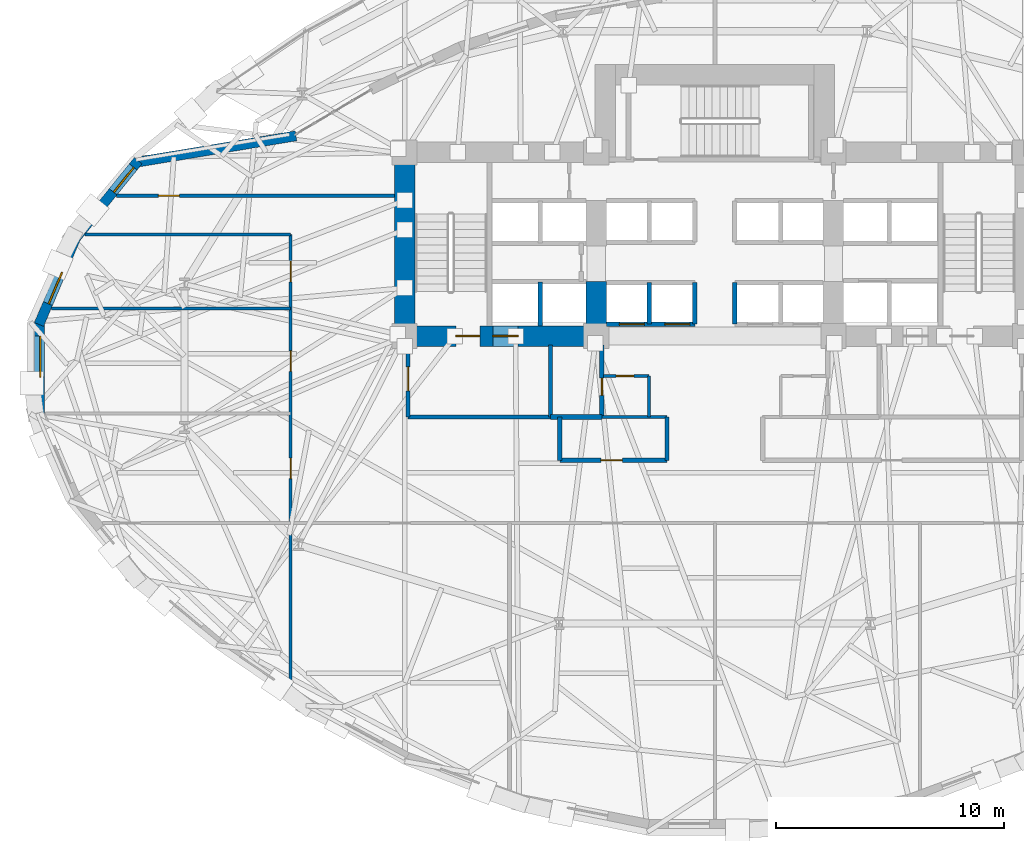
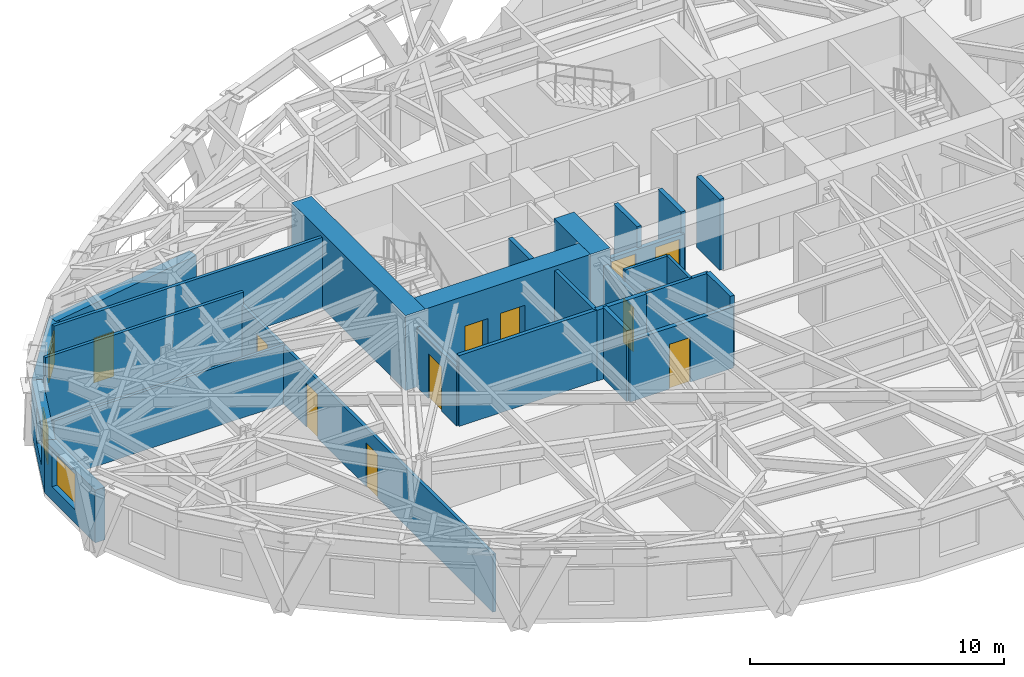
# One storey, part 10 of 17: 27 walls, 12 doors, 3 windows, 15 openings.
"""IFC4 building model written with IfcOpenShell, lengths in metres."""

from ifc_helpers import new_model, si_unit, direction, frame, frame_2d, origin, place, context, subcontext, project, spatial, rectangle, extrude, material, layer, layer_set, type_object, element, fill, save


model = new_model("IFC4")

# Units and contexts
model_context = context("Model", 3, precision=1e-05, world=origin(), true_north=direction((0.0, 1.0)))
body_context = subcontext(model_context, "Body", "Model", "MODEL_VIEW")
ifc_project = project(units=[si_unit("LENGTHUNIT", "METRE"), si_unit("AREAUNIT", "SQUARE_METRE"), si_unit("VOLUMEUNIT", "CUBIC_METRE"), si_unit("PLANEANGLEUNIT", "RADIAN"), si_unit("MASSUNIT", "GRAM", prefix="KILO")], contexts=[model_context])

# Site, building, storey
site_placement = place(None, origin())
site = spatial("IfcSite", under=ifc_project, at=site_placement, CompositionType="ELEMENT")
building_placement = place(site_placement, origin())
building = spatial("IfcBuilding", under=site, at=building_placement, Name="Keldmark Tower", CompositionType="ELEMENT")
storey_placement = place(building_placement, frame((0.0, 0.0, 70.199951171875)))
storey = spatial("IfcBuildingStorey", under=building, at=storey_placement, Name="L18", CompositionType="ELEMENT", Elevation=70.199951171875)

# Wall, openings, doors
ifc_material_1 = material(Name="Acoustic Double-Layer Gypsum Corridor Partition", Category="gypsum")
ifc_layer_1 = layer(ifc_material_1, 0.139892578125)
ifc_layer_set_1 = layer_set([ifc_layer_1], Name="Acoustic Double-Layer Gypsum Corridor Partition")
wall_type_1 = type_object("IfcWallType", Name="Acoustic Corridor Partition 140 mm", PredefinedType="PARTITIONING", material=ifc_layer_set_1)
wall_1_placement = place(storey_placement, frame((-18.60009765625, -13.924072265625, 0.0), z_axis=(0.0, 0.0, 1.0), x_axis=(0.0, 1.0, 0.0)))
wall_1 = element("IfcWall", 1, at=wall_1_placement, inside=storey, type_object=wall_type_1, Name="L18 Acoustic Corridor Partition 140 mm COR-W", PredefinedType="PARTITIONING", context=body_context, shape_type="SweptSolid", body=[
    extrude(rectangle(XDim=19.774169921875, YDim=0.139892578125, at=frame_2d((9.88720703125, 0.0))), origin(), (0.0, 0.0, 1.0), 2.779052734375),
])
opening_1_placement = place(wall_1_placement, frame((9.074462890625, 0.0, 0.0)))
opening_1 = element("IfcOpeningElement", 2, at=opening_1_placement, cuts=wall_1, Name="Opening D-IN090", PredefinedType="OPENING", context=body_context, shape_type="SweptSolid", body=[
    extrude(rectangle(XDim=0.89990234375, YDim=2.10009765625, at=frame_2d((0.449951171875, 1.050048828125))), frame((0.0, 0.079833984375, 0.0), z_axis=(0.0, -1.0, 0.0), x_axis=(1.0, 0.0, 0.0)), (0.0, 0.0, 1.0), 0.159912109375),
])
opening_2_placement = place(wall_1_placement, frame((13.7744140625, 0.0, 0.0)))
opening_2 = element("IfcOpeningElement", 3, at=opening_2_placement, cuts=wall_1, Name="Opening D-IN090", PredefinedType="OPENING", context=body_context, shape_type="SweptSolid", body=[
    extrude(rectangle(XDim=0.89990234375, YDim=2.10009765625, at=frame_2d((0.449951171875, 1.050048828125))), frame((0.0, 0.079833984375, 0.0), z_axis=(0.0, -1.0, 0.0), x_axis=(1.0, 0.0, 0.0)), (0.0, 0.0, 1.0), 0.159912109375),
])
opening_3_placement = place(wall_1_placement, frame((17.699462890625, 0.0, 0.0)))
opening_3 = element("IfcOpeningElement", 4, at=opening_3_placement, cuts=wall_1, Name="Opening D-IN090", PredefinedType="OPENING", context=body_context, shape_type="SweptSolid", body=[
    extrude(rectangle(XDim=0.89990234375, YDim=2.10009765625, at=frame_2d((0.449951171875, 1.050048828125))), frame((0.0, 0.079833984375, 0.0), z_axis=(0.0, -1.0, 0.0), x_axis=(1.0, 0.0, 0.0)), (0.0, 0.0, 1.0), 0.159912109375),
])
ifc_material_2 = material(Name="Stained American White Oak Veneer", Category="wood")
door_type_1 = type_object("IfcDoorType", Name="Interior Door 900x2100", OperationType="NOTDEFINED", PredefinedType="DOOR", material=ifc_material_2)
door_1_placement = place(opening_1_placement, origin())
door_1 = element("IfcDoor", 5, at=door_1_placement, inside=storey, type_object=door_type_1, Name="L18 Interior Door 900x2100 D-WR-1-L18", OperationType="SINGLE_SWING_LEFT", OverallHeight=2.10009765625, OverallWidth=0.89990234375, PredefinedType="DOOR", context=body_context, shape_type="SweptSolid", body=[
    extrude(rectangle(XDim=0.89990234375, YDim=2.10009765625, at=frame_2d((0.449951171875, 1.050048828125))), frame((0.0, 0.02490234375, 0.0), z_axis=(0.0, -1.0, 0.0), x_axis=(1.0, 0.0, 0.0)), (0.0, 0.0, 1.0), 0.050048828125),
])
fill(opening_1, door_1)
door_2_placement = place(opening_2_placement, origin())
door_2 = element("IfcDoor", 6, at=door_2_placement, inside=storey, type_object=door_type_1, Name="L18 Interior Door 900x2100 D-WR-2-L18", OperationType="SINGLE_SWING_RIGHT", OverallHeight=2.10009765625, OverallWidth=0.89990234375, PredefinedType="DOOR", context=body_context, shape_type="SweptSolid", body=[
    extrude(rectangle(XDim=0.89990234375, YDim=2.10009765625, at=frame_2d((0.449951171875, 1.050048828125))), frame((0.0, 0.02490234375, 0.0), z_axis=(0.0, -1.0, 0.0), x_axis=(1.0, 0.0, 0.0)), (0.0, 0.0, 1.0), 0.050048828125),
])
fill(opening_2, door_2)
door_3_placement = place(opening_3_placement, origin())
door_3 = element("IfcDoor", 7, at=door_3_placement, inside=storey, type_object=door_type_1, Name="L18 Interior Door 900x2100 D-WR-3-L18", OperationType="SINGLE_SWING_LEFT", OverallHeight=2.10009765625, OverallWidth=0.89990234375, PredefinedType="DOOR", context=body_context, shape_type="SweptSolid", body=[
    extrude(rectangle(XDim=0.89990234375, YDim=2.10009765625, at=frame_2d((0.449951171875, 1.050048828125))), frame((0.0, 0.02490234375, 0.0), z_axis=(0.0, -1.0, 0.0), x_axis=(1.0, 0.0, 0.0)), (0.0, 0.0, 1.0), 0.050048828125),
])
fill(opening_3, door_3)

# Wall, opening, door
wall_2_placement = place(storey_placement, frame((-26.233642578125, 7.550048828125, 0.0), z_axis=(0.0, 0.0, 1.0), x_axis=(1.0, 0.0, 0.0)))
wall_2 = element("IfcWall", 8, at=wall_2_placement, inside=storey, type_object=wall_type_1, Name="L18 Acoustic Corridor Partition 140 mm COR-WN-CAP", PredefinedType="PARTITIONING", context=body_context, shape_type="SweptSolid", body=[
    extrude(rectangle(XDim=12.18359375, YDim=0.139892578125, at=frame_2d((6.091796875, 0.0))), origin(), (0.0, 0.0, 1.0), 3.400146484375),
])
opening_4_placement = place(wall_2_placement, frame((1.839599609375, 0.0, 0.0)))
opening_4 = element("IfcOpeningElement", 9, at=opening_4_placement, cuts=wall_2, Name="Opening D-EX092", PredefinedType="OPENING", context=body_context, shape_type="SweptSolid", body=[
    extrude(rectangle(XDim=0.919921875, YDim=2.14990234375, at=frame_2d((0.4599609375, 1.074951171875))), frame((0.0, 0.079833984375, 0.0), z_axis=(0.0, -1.0, 0.0), x_axis=(1.0, 0.0, 0.0)), (0.0, 0.0, 1.0), 0.159912109375),
])
ifc_material_3 = material(Name="Flush American Ash Executive Office Door", Category="wood")
door_type_2 = type_object("IfcDoorType", Name="Executive Office Door 920x2150", OperationType="NOTDEFINED", PredefinedType="DOOR", material=ifc_material_3)
door_4_placement = place(opening_4_placement, origin())
door_4 = element("IfcDoor", 10, at=door_4_placement, inside=storey, type_object=door_type_2, Name="L18 Executive Office Door 920x2150 D-NRNW-L18", OperationType="SINGLE_SWING_LEFT", OverallHeight=2.14990234375, OverallWidth=0.919921875, PredefinedType="DOOR", context=body_context, shape_type="SweptSolid", body=[
    extrude(rectangle(XDim=0.919921875, YDim=2.14990234375, at=frame_2d((0.4599609375, 1.074951171875))), frame((0.0, 0.02490234375, 0.0), z_axis=(0.0, -1.0, 0.0), x_axis=(1.0, 0.0, 0.0)), (0.0, 0.0, 1.0), 0.050048828125),
])
fill(opening_4, door_4)

# Wall
wall_3_placement = place(storey_placement, frame((-27.607421875, 5.85009765625, 0.0), z_axis=(0.0, 0.0, 1.0), x_axis=(1.0, 0.0, 0.0)))
element("IfcWall", 11, at=wall_3_placement, inside=storey, type_object=wall_type_1, Name="L18 Acoustic Corridor Partition 140 mm COR-WA-S", PredefinedType="PARTITIONING", context=body_context, shape_type="SweptSolid", body=[
    extrude(rectangle(XDim=9.00732421875, YDim=0.139892578125, at=frame_2d((4.503662109375, 0.0))), origin(), (0.0, 0.0, 1.0), 3.400146484375),
])

# Wall, opening, door
ifc_material_4 = material(Name="Heavy Acoustic Plumbing Chase Gypsum Assembly", Category="gypsum")
ifc_layer_2 = layer(ifc_material_4, 0.18994140625)
ifc_layer_set_2 = layer_set([ifc_layer_2], Name="Heavy Acoustic Plumbing Chase Gypsum Assembly")
wall_type_2 = type_object("IfcWallType", Name="Heavy Wet Wall 190 mm", PredefinedType="PLUMBINGWALL", material=ifc_layer_set_2)
wall_4_placement = place(storey_placement, frame((-6.800048828125, -4.050048828125, 0.0), z_axis=(0.0, 0.0, 1.0), x_axis=(1.0, 0.0, 0.0)))
wall_4 = element("IfcWall", 12, at=wall_4_placement, inside=storey, type_object=wall_type_2, Name="L18 Heavy Wet Wall 190 mm SPK-W-S", PredefinedType="PLUMBINGWALL", context=body_context, shape_type="SweptSolid", body=[
    extrude(rectangle(XDim=4.699951171875, YDim=0.18994140625, at=frame_2d((2.35009765625, 0.0))), origin(), (0.0, 0.0, 1.0), 2.93310546875),
])
opening_5_placement = place(wall_4_placement, frame((1.800048828125, 0.0, 0.0)))
opening_5 = element("IfcOpeningElement", 13, at=opening_5_placement, cuts=wall_4, Name="Opening D-AWC95", PredefinedType="OPENING", context=body_context, shape_type="SweptSolid", body=[
    extrude(rectangle(XDim=0.949951171875, YDim=2.14990234375, at=frame_2d((0.47509765625, 1.074951171875))), frame((0.0, 0.10498046875, 0.0), z_axis=(0.0, -1.0, 0.0), x_axis=(1.0, 0.0, 0.0)), (0.0, 0.0, 1.0), 0.2099609375),
])
ifc_material_5 = material(Name="Painted Solid-Core Architectural Wood", Category="wood")
door_type_3 = type_object("IfcDoorType", Name="Accessible WC Door 950x2150", OperationType="NOTDEFINED", PredefinedType="DOOR", material=ifc_material_5)
door_5_placement = place(opening_5_placement, origin())
door_5 = element("IfcDoor", 14, at=door_5_placement, inside=storey, type_object=door_type_3, Name="L18 Accessible WC Door 950x2150 D-SPKW1-L18", OperationType="SINGLE_SWING_LEFT", OverallHeight=2.14990234375, OverallWidth=0.949951171875, PredefinedType="DOOR", context=body_context, shape_type="SweptSolid", body=[
    extrude(rectangle(XDim=0.949951171875, YDim=2.14990234375, at=frame_2d((0.47509765625, 1.074951171875))), frame((0.0, 0.02490234375, 0.0), z_axis=(0.0, -1.0, 0.0), x_axis=(1.0, 0.0, 0.0)), (0.0, 0.0, 1.0), 0.050048828125),
])
fill(opening_5, door_5)

# Walls
for number, where, z_axis, x_axis, name in (
    (15, (-6.800048828125, -4.050048828125, 0.0), (0.0, 0.0, 1.0), (0.0, 1.0, 0.0), "L18 Heavy Wet Wall 190 mm SPK-W-W"),
    (16, (-2.10009765625, -4.050048828125, 0.0), (0.0, 0.0, 1.0), (0.0, 1.0, 0.0), "L18 Heavy Wet Wall 190 mm SPK-W-E"),
):
    element("IfcWall", number, at=place(storey_placement, frame(where, z_axis=z_axis, x_axis=x_axis)), inside=storey, type_object=wall_type_2, Name=name, PredefinedType="PLUMBINGWALL", context=body_context, shape_type="SweptSolid", body=[
        extrude(rectangle(XDim=1.900146484375, YDim=0.18994140625, at=frame_2d((0.9501953125, 0.0))), origin(), (0.0, 0.0, 1.0), 3.400146484375),
    ])

# Wall, opening, door
ifc_material_6 = material(Name="Acoustic Gypsum Board Interior Partition", Category="gypsum")
ifc_layer_3 = layer(ifc_material_6, 0.1298828125)
ifc_layer_set_3 = layer_set([ifc_layer_3], Name="Acoustic Gypsum Board Interior Partition")
wall_type_3 = type_object("IfcWallType", Name="Interior Partition 130 mm", PredefinedType="PARTITIONING", material=ifc_layer_set_3)
wall_5_placement = place(storey_placement, frame((-4.8798828125, -0.35009765625, 0.0), z_axis=(0.0, 0.0, 1.0), x_axis=(1.0, 0.0, 0.0)))
wall_5 = element("IfcWall", 17, at=wall_5_placement, inside=storey, type_object=wall_type_3, Name="L18 Interior Partition 130 mm CSC-W-N", PredefinedType="PARTITIONING", context=body_context, shape_type="SweptSolid", body=[
    extrude(rectangle(XDim=1.989990234375, YDim=0.1298828125, at=frame_2d((0.9951171875, 0.0))), origin(), (0.0, 0.0, 1.0), 3.400146484375),
])
opening_6_placement = place(wall_5_placement, frame((0.550048828125, 0.0, 0.0)))
opening_6 = element("IfcOpeningElement", 18, at=opening_6_placement, cuts=wall_5, Name="Opening D-CL078", PredefinedType="OPENING", context=body_context, shape_type="SweptSolid", body=[
    extrude(rectangle(XDim=0.780029296875, YDim=2.10009765625, at=frame_2d((0.39013671875, 1.050048828125))), frame((0.0, 0.074951171875, 0.0), z_axis=(0.0, -1.0, 0.0), x_axis=(1.0, 0.0, 0.0)), (0.0, 0.0, 1.0), 0.14990234375),
])
ifc_material_7 = material(Name="Flush Utility Closet Timber Door", Category="wood")
door_type_4 = type_object("IfcDoorType", Name="Closet Door 780x2100", OperationType="NOTDEFINED", PredefinedType="DOOR", material=ifc_material_7)
door_6_placement = place(opening_6_placement, origin())
door_6 = element("IfcDoor", 19, at=door_6_placement, inside=storey, type_object=door_type_4, Name="L18 Closet Door 780x2100 D-CSCW1-L18", OperationType="SINGLE_SWING_LEFT", OverallHeight=2.10009765625, OverallWidth=0.780029296875, PredefinedType="DOOR", context=body_context, shape_type="SweptSolid", body=[
    extrude(rectangle(XDim=0.780029296875, YDim=2.10009765625, at=frame_2d((0.39013671875, 1.050048828125))), frame((0.0, 0.02490234375, 0.0), z_axis=(0.0, -1.0, 0.0), x_axis=(1.0, 0.0, 0.0)), (0.0, 0.0, 1.0), 0.050048828125),
])
fill(opening_6, door_6)

# Walls
wall_6_placement = place(storey_placement, frame((-2.889892578125, -2.14990234375, 0.0), z_axis=(0.0, 0.0, 1.0), x_axis=(0.0, 1.0, 0.0)))
element("IfcWall", 20, at=wall_6_placement, inside=storey, type_object=wall_type_3, Name="L18 Interior Partition 130 mm CSC-W-E", PredefinedType="PARTITIONING", context=body_context, shape_type="SweptSolid", body=[
    extrude(rectangle(XDim=1.7998046875, YDim=0.1298828125, at=frame_2d((0.89990234375, 0.0))), origin(), (0.0, 0.0, 1.0), 3.400146484375),
])
wall_7_placement = place(storey_placement, frame((-29.091552734375, 2.60009765625, 0.0), z_axis=(0.0, 0.0, 1.0), x_axis=(1.0, 0.0, 0.0)))
element("IfcWall", 21, at=wall_7_placement, inside=storey, type_object=wall_type_3, Name="L18 Interior Partition 130 mm W-DIV-2", PredefinedType="PARTITIONING", context=body_context, shape_type="SweptSolid", body=[
    extrude(rectangle(XDim=10.491455078125, YDim=0.1298828125, at=frame_2d((5.24560546875, 0.0))), origin(), (0.0, 0.0, 1.0), 2.841064453125),
])
ifc_material_8 = material(Name="Concrete C70/85", Category="concrete")
ifc_layer_4 = layer(ifc_material_8, 0.89990234375)
ifc_layer_set_4 = layer_set([ifc_layer_4], Name="Concrete C70/85")
wall_type_4 = type_object("IfcWallType", Name="Lower Core Shear Wall 900 mm", PredefinedType="SHEAR", material=ifc_layer_set_4)
wall_8_placement = place(storey_placement, frame((-13.60009765625, 0.949951171875, 0.0), z_axis=(0.0, 0.0, 1.0), x_axis=(0.0, 1.0, 0.0)))
element("IfcWall", 22, at=wall_8_placement, inside=storey, type_object=wall_type_4, Name="L18 West Core Outer Shear Wall", PredefinedType="SHEAR", context=body_context, shape_type="SweptSolid", body=[
    extrude(rectangle(XDim=8.949951171875, YDim=0.89990234375, at=frame_2d((4.47509765625, 0.0))), origin(), (0.0, 0.0, 1.0), 3.60009765625),
])

# Wall, openings, doors
wall_9_placement = place(storey_placement, frame((-4.75, 1.39990234375, 0.0), z_axis=(0.0, 0.0, 1.0), x_axis=(-1.0, 0.0, 0.0)))
wall_9 = element("IfcWall", 23, at=wall_9_placement, inside=storey, type_object=wall_type_4, Name="L18 West Core South Shear Wall", PredefinedType="SHEAR", context=body_context, shape_type="SweptSolid", body=[
    extrude(rectangle(XDim=9.300048828125, YDim=0.89990234375, at=frame_2d((4.64990234375, 0.0))), origin(), (0.0, 0.0, 1.0), 3.60009765625),
])
opening_7_placement = place(wall_9_placement, frame((5.550048828125, 0.0, 0.0)))
opening_7 = element("IfcOpeningElement", 24, at=opening_7_placement, cuts=wall_9, Name="Opening D-ST105", PredefinedType="OPENING", context=body_context, shape_type="SweptSolid", body=[
    extrude(rectangle(XDim=1.050048828125, YDim=2.14990234375, at=frame_2d((0.52490234375, 1.074951171875))), frame((0.0, 0.4599609375, 0.0), z_axis=(0.0, -1.0, 0.0), x_axis=(1.0, 0.0, 0.0)), (0.0, 0.0, 1.0), 0.919921875),
])
opening_8_placement = place(wall_9_placement, frame((3.8798828125, 0.0, 0.0)))
opening_8 = element("IfcOpeningElement", 25, at=opening_8_placement, cuts=wall_9, Name="Opening LD-110", PredefinedType="OPENING", context=body_context, shape_type="SweptSolid", body=[
    extrude(rectangle(XDim=1.10009765625, YDim=2.199951171875, at=frame_2d((0.550048828125, 1.10009765625))), frame((0.0, 0.4599609375, 0.0), z_axis=(0.0, -1.0, 0.0), x_axis=(1.0, 0.0, 0.0)), (0.0, 0.0, 1.0), 0.919921875),
])
ifc_material_9 = material(Name="Brushed Bronze Hoistway Sliding Leaf", Category="metal")
door_type_5 = type_object("IfcDoorType", Name="Lift Landing Sliding Door 1100x2200", OperationType="SLIDING_TO_LEFT", PredefinedType="DOOR", material=ifc_material_9)
door_7_placement = place(opening_8_placement, origin())
door_7 = element("IfcDoor", 26, at=door_7_placement, inside=storey, type_object=door_type_5, Name="L18 Lift Landing Sliding Door 1100x2200 LD-EL-FS1-L18", OperationType="SLIDING_TO_LEFT", OverallHeight=2.199951171875, OverallWidth=1.10009765625, PredefinedType="DOOR", context=body_context, shape_type="SweptSolid", body=[
    extrude(rectangle(XDim=1.10009765625, YDim=2.199951171875, at=frame_2d((0.550048828125, 1.10009765625))), frame((0.0, 0.02490234375, 0.0), z_axis=(0.0, -1.0, 0.0), x_axis=(1.0, 0.0, 0.0)), (0.0, 0.0, 1.0), 0.050048828125),
])
fill(opening_8, door_7)
ifc_material_10 = material(Name="Hollow Metal Fire-Rated Door Assembly", Category="metal")
door_type_6 = type_object("IfcDoorType", Name="Stair Fire Door 1050x2150", OperationType="NOTDEFINED", PredefinedType="DOOR", material=ifc_material_10)
door_8_placement = place(opening_7_placement, origin())
door_8 = element("IfcDoor", 27, at=door_8_placement, inside=storey, type_object=door_type_6, Name="L18 Stair Fire Door 1050x2150 D-ST1-L18", OperationType="SINGLE_SWING_RIGHT", OverallHeight=2.14990234375, OverallWidth=1.050048828125, PredefinedType="DOOR", context=body_context, shape_type="SweptSolid", body=[
    extrude(rectangle(XDim=1.050048828125, YDim=2.14990234375, at=frame_2d((0.52490234375, 1.074951171875))), frame((0.0, 0.02490234375, 0.0), z_axis=(0.0, -1.0, 0.0), x_axis=(1.0, 0.0, 0.0)), (0.0, 0.0, 1.0), 0.050048828125),
])
fill(opening_7, door_8)

# Walls
wall_10_placement = place(storey_placement, frame((-5.199951171875, 0.949951171875, 0.0), z_axis=(0.0, 0.0, 1.0), x_axis=(0.0, 1.0, 0.0)))
element("IfcWall", 28, at=wall_10_placement, inside=storey, type_object=wall_type_4, Name="L18 West Core Inner Shear Pier South", PredefinedType="SHEAR", context=body_context, shape_type="SweptSolid", body=[
    extrude(rectangle(XDim=2.85009765625, YDim=0.89990234375, at=frame_2d((1.425048828125, 0.0))), origin(), (0.0, 0.0, 1.0), 3.60009765625),
])
ifc_material_11 = material(Name="Type X Fire-Rated Gypsum Partition Assembly", Category="gypsum")
ifc_layer_5 = layer(ifc_material_11, 0.1650390625)
ifc_layer_set_5 = layer_set([ifc_layer_5], Name="Type X Fire-Rated Gypsum Partition Assembly")
wall_type_5 = type_object("IfcWallType", Name="Rated Partition 165 mm", PredefinedType="PARTITIONING", material=ifc_layer_set_5)
wall_11_placement = place(storey_placement, frame((-13.449951171875, -2.14990234375, 0.0), z_axis=(0.0, 0.0, 1.0), x_axis=(1.0, 0.0, 0.0)))
element("IfcWall", 29, at=wall_11_placement, inside=storey, type_object=wall_type_5, Name="L18 Rated Partition 165 mm FSAE-W-S", PredefinedType="PARTITIONING", context=body_context, shape_type="SweptSolid", body=[
    extrude(rectangle(XDim=6.25, YDim=0.1650390625, at=frame_2d((3.125, 0.0))), origin(), (0.0, 0.0, 1.0), 3.400146484375),
])

# Wall, opening, door
wall_12_placement = place(storey_placement, frame((-13.449951171875, -2.14990234375, 0.0), z_axis=(0.0, 0.0, 1.0), x_axis=(0.0, 1.0, 0.0)))
wall_12 = element("IfcWall", 30, at=wall_12_placement, inside=storey, type_object=wall_type_5, Name="L18 Rated Partition 165 mm FSAE-W-W", PredefinedType="PARTITIONING", context=body_context, shape_type="SweptSolid", body=[
    extrude(rectangle(XDim=3.14990234375, YDim=0.1650390625, at=frame_2d((1.574951171875, 0.0))), origin(), (0.0, 0.0, 1.0), 2.85302734375),
])
opening_9_placement = place(wall_12_placement, frame((1.14990234375, 0.0, 0.0)))
opening_9 = element("IfcOpeningElement", 31, at=opening_9_placement, cuts=wall_12, Name="Opening D-FL105", PredefinedType="OPENING", context=body_context, shape_type="SweptSolid", body=[
    extrude(rectangle(XDim=1.050048828125, YDim=2.14990234375, at=frame_2d((0.52490234375, 1.074951171875))), frame((0.0, 0.092529296875, 0.0), z_axis=(0.0, -1.0, 0.0), x_axis=(1.0, 0.0, 0.0)), (0.0, 0.0, 1.0), 0.18505859375),
])
ifc_material_12 = material(Name="Fire-Rated Mineral-Core Door and Vision Lite", Category="metal")
door_type_7 = type_object("IfcDoorType", Name="Fire Lobby Door 1050x2150", OperationType="NOTDEFINED", PredefinedType="DOOR", material=ifc_material_12)
door_9_placement = place(opening_9_placement, origin())
door_9 = element("IfcDoor", 32, at=door_9_placement, inside=storey, type_object=door_type_7, Name="L18 Fire Lobby Door 1050x2150 D-FSAEW-OUT-L18", OperationType="SINGLE_SWING_LEFT", OverallHeight=2.14990234375, OverallWidth=1.050048828125, PredefinedType="DOOR", context=body_context, shape_type="SweptSolid", body=[
    extrude(rectangle(XDim=1.050048828125, YDim=2.14990234375, at=frame_2d((0.52490234375, 1.074951171875))), frame((0.0, 0.02490234375, 0.0), z_axis=(0.0, -1.0, 0.0), x_axis=(1.0, 0.0, 0.0)), (0.0, 0.0, 1.0), 0.050048828125),
])
fill(opening_9, door_9)

# Walls
wall_13_placement = place(storey_placement, frame((-7.199951171875, -2.14990234375, 0.0), z_axis=(0.0, 0.0, 1.0), x_axis=(0.0, 1.0, 0.0)))
element("IfcWall", 33, at=wall_13_placement, inside=storey, type_object=wall_type_5, Name="L18 Rated Partition 165 mm FSAE-W-E", PredefinedType="PARTITIONING", context=body_context, shape_type="SweptSolid", body=[
    extrude(rectangle(XDim=3.14990234375, YDim=0.1650390625, at=frame_2d((1.574951171875, 0.0))), origin(), (0.0, 0.0, 1.0), 3.400146484375),
])
ifc_material_13 = material(Name="Fire-Resistant Type X Gypsum Shaftliner Coreboard", Category="gypsum")
ifc_layer_6 = layer(ifc_material_13, 0.199951171875)
ifc_layer_set_6 = layer_set([ifc_layer_6], Name="Fire-Resistant Type X Gypsum Shaftliner Coreboard")
wall_type_6 = type_object("IfcWallType", Name="Shaft Wall 200 mm", PredefinedType="SOLIDWALL", material=ifc_layer_set_6)
wall_14_placement = place(storey_placement, frame((-7.199951171875, -2.14990234375, 0.0), z_axis=(0.0, 0.0, 1.0), x_axis=(1.0, 0.0, 0.0)))
element("IfcWall", 34, at=wall_14_placement, inside=storey, type_object=wall_type_6, Name="L18 Shaft Wall 200 mm RIS-SW-S", PredefinedType="SOLIDWALL", context=body_context, shape_type="SweptSolid", body=[
    extrude(rectangle(XDim=2.25, YDim=0.199951171875, at=frame_2d((1.125, 0.0))), origin(), (0.0, 0.0, 1.0), 3.400146484375),
])

# Wall, opening, door
wall_15_placement = place(storey_placement, frame((-4.949951171875, -2.14990234375, 0.0), z_axis=(0.0, 0.0, 1.0), x_axis=(0.0, 1.0, 0.0)))
wall_15 = element("IfcWall", 35, at=wall_15_placement, inside=storey, type_object=wall_type_6, Name="L18 Shaft Wall 200 mm RIS-SW-E", PredefinedType="SOLIDWALL", context=body_context, shape_type="SweptSolid", body=[
    extrude(rectangle(XDim=3.14990234375, YDim=0.199951171875, at=frame_2d((1.574951171875, 0.0))), origin(), (0.0, 0.0, 1.0), 2.85302734375),
])
opening_10_placement = place(wall_15_placement, frame((0.949951171875, 0.0, 0.0)))
opening_10 = element("IfcOpeningElement", 36, at=opening_10_placement, cuts=wall_15, Name="Opening D-RS075", PredefinedType="OPENING", context=body_context, shape_type="SweptSolid", body=[
    extrude(rectangle(XDim=0.75, YDim=2.10009765625, at=frame_2d((0.375, 1.050048828125))), frame((0.0, 0.10986328125, 0.0), z_axis=(0.0, -1.0, 0.0), x_axis=(1.0, 0.0, 0.0)), (0.0, 0.0, 1.0), 0.219970703125),
])
ifc_material_14 = material(Name="Galvanized Fire-Rated Access Leaf", Category="metal")
door_type_8 = type_object("IfcDoorType", Name="Riser Access Door 750x2100", OperationType="NOTDEFINED", PredefinedType="DOOR", material=ifc_material_14)
door_10_placement = place(opening_10_placement, origin())
door_10 = element("IfcDoor", 37, at=door_10_placement, inside=storey, type_object=door_type_8, Name="L18 Riser Access Door 750x2100 D-RISSW-L18", OperationType="SINGLE_SWING_RIGHT", OverallHeight=2.10009765625, OverallWidth=0.75, PredefinedType="DOOR", context=body_context, shape_type="SweptSolid", body=[
    extrude(rectangle(XDim=0.75, YDim=2.10009765625, at=frame_2d((0.375, 1.050048828125))), frame((0.0, 0.02490234375, 0.0), z_axis=(0.0, -1.0, 0.0), x_axis=(1.0, 0.0, 0.0)), (0.0, 0.0, 1.0), 0.050048828125),
])
fill(opening_10, door_10)

# Wall
wall_16_placement = place(storey_placement, frame((-7.64990234375, 1.85009765625, 0.0), z_axis=(0.0, 0.0, 1.0), x_axis=(0.0, 1.0, 0.0)))
element("IfcWall", 38, at=wall_16_placement, inside=storey, type_object=wall_type_6, Name="L18 Shaft Wall 200 mm HW-W-M", PredefinedType="SOLIDWALL", context=body_context, shape_type="SweptSolid", body=[
    extrude(rectangle(XDim=1.929931640625, YDim=0.199951171875, at=frame_2d((0.96484375, 0.0))), origin(), (0.0, 0.0, 1.0), 3.400146484375),
])

# Wall, openings, doors
wall_17_placement = place(storey_placement, frame((-4.739990234375, 1.919921875, 0.0), z_axis=(0.0, 0.0, 1.0), x_axis=(1.0, 0.0, 0.0)))
wall_17 = element("IfcWall", 39, at=wall_17_placement, inside=storey, type_object=wall_type_6, Name="L18 Shaft Wall 200 mm LOW-S-W", PredefinedType="SOLIDWALL", context=body_context, shape_type="SweptSolid", body=[
    extrude(rectangle(XDim=3.860107421875, YDim=0.199951171875, at=frame_2d((1.93017578125, 0.0))), origin(), (0.0, 0.0, 1.0), 2.39013671875),
])
opening_11_placement = place(wall_17_placement, frame((0.550048828125, 0.0, 0.0)))
opening_11 = element("IfcOpeningElement", 40, at=opening_11_placement, cuts=wall_17, Name="Opening LD-110", PredefinedType="OPENING", context=body_context, shape_type="SweptSolid", body=[
    extrude(rectangle(XDim=1.10009765625, YDim=2.199951171875, at=frame_2d((0.550048828125, 1.10009765625))), frame((0.0, 0.10986328125, 0.0), z_axis=(0.0, -1.0, 0.0), x_axis=(1.0, 0.0, 0.0)), (0.0, 0.0, 1.0), 0.219970703125),
])
opening_12_placement = place(wall_17_placement, frame((2.550048828125, 0.0, 0.0)))
opening_12 = element("IfcOpeningElement", 41, at=opening_12_placement, cuts=wall_17, Name="Opening LD-110", PredefinedType="OPENING", context=body_context, shape_type="SweptSolid", body=[
    extrude(rectangle(XDim=1.10009765625, YDim=2.199951171875, at=frame_2d((0.550048828125, 1.10009765625))), frame((0.0, 0.10986328125, 0.0), z_axis=(0.0, -1.0, 0.0), x_axis=(1.0, 0.0, 0.0)), (0.0, 0.0, 1.0), 0.219970703125),
])
door_11_placement = place(opening_11_placement, origin())
door_11 = element("IfcDoor", 42, at=door_11_placement, inside=storey, type_object=door_type_5, Name="L18 Lift Landing Sliding Door 1100x2200 LD-EL-L1-L18", OperationType="SLIDING_TO_LEFT", OverallHeight=2.199951171875, OverallWidth=1.10009765625, PredefinedType="DOOR", context=body_context, shape_type="SweptSolid", body=[
    extrude(rectangle(XDim=1.10009765625, YDim=2.199951171875, at=frame_2d((0.550048828125, 1.10009765625))), frame((0.0, 0.02490234375, 0.0), z_axis=(0.0, -1.0, 0.0), x_axis=(1.0, 0.0, 0.0)), (0.0, 0.0, 1.0), 0.050048828125),
])
fill(opening_11, door_11)
door_12_placement = place(opening_12_placement, origin())
door_12 = element("IfcDoor", 43, at=door_12_placement, inside=storey, type_object=door_type_5, Name="L18 Lift Landing Sliding Door 1100x2200 LD-EL-L2-L18", OperationType="SLIDING_TO_LEFT", OverallHeight=2.199951171875, OverallWidth=1.10009765625, PredefinedType="DOOR", context=body_context, shape_type="SweptSolid", body=[
    extrude(rectangle(XDim=1.10009765625, YDim=2.199951171875, at=frame_2d((0.550048828125, 1.10009765625))), frame((0.0, 0.02490234375, 0.0), z_axis=(0.0, -1.0, 0.0), x_axis=(1.0, 0.0, 0.0)), (0.0, 0.0, 1.0), 0.050048828125),
])
fill(opening_12, door_12)

# Walls
for number, where, z_axis, x_axis, name in (
    (44, (-2.8798828125, 1.919921875, 0.0), (0.0, 0.0, 1.0), (0.0, 1.0, 0.0), "L18 Shaft Wall 200 mm LOW-M-W"),
    (45, (-0.8798828125, 1.919921875, 0.0), (0.0, 0.0, 1.0), (0.0, 1.0, 0.0), "L18 Shaft Wall 200 mm LOW-C-W"),
    (46, (0.8798828125, 1.919921875, 0.0), (0.0, 0.0, 1.0), (0.0, 1.0, 0.0), "L18 Shaft Wall 200 mm LOW-C-E"),
):
    element("IfcWall", number, at=place(storey_placement, frame(where, z_axis=z_axis, x_axis=x_axis)), inside=storey, type_object=wall_type_6, Name=name, PredefinedType="SOLIDWALL", context=body_context, shape_type="SweptSolid", body=[
        extrude(rectangle(XDim=1.820068359375, YDim=0.199951171875, at=frame_2d((0.91015625, 0.0))), origin(), (0.0, 0.0, 1.0), 3.400146484375),
    ])
ifc_material_15 = material(Name="Ironspot Manganese Brick and Kasota Buff Limestone Spandrel Assembly", Category="masonry")
ifc_layer_7 = layer(ifc_material_15, 0.43994140625)
ifc_layer_set_7 = layer_set([ifc_layer_7], Name="Ironspot Manganese Brick and Kasota Buff Limestone Spandrel Assembly")
wall_type_7 = type_object("IfcWallType", Name="Tower Brick Pier and Spandrel Wall 440 mm", PredefinedType="STANDARD", material=ifc_layer_set_7)
wall_18_placement = place(storey_placement, frame((-25.419677734375, 9.009033203125, 0.0), z_axis=(0.0, 0.0, 1.0), x_axis=(0.98660532948, 0.163125484956, 0.0)))
element("IfcWall", 47, at=wall_18_placement, inside=storey, type_object=wall_type_7, Name="L18 Exterior Brick and Spandrel Wall 13", PredefinedType="STANDARD", context=body_context, shape_type="SweptSolid", body=[
    extrude(rectangle(XDim=7.15087890625, YDim=0.43994140625, at=frame_2d((3.575439453125, 0.0))), origin(), (0.0, 0.0, 1.0), 2.532958984375),
])

# Wall, opening, window
wall_19_placement = place(storey_placement, frame((-28.048828125, 5.666259765625, 0.0), z_axis=(0.0, 0.0, 1.0), x_axis=(0.628444327975, 0.777854566507, 0.0)))
wall_19 = element("IfcWall", 48, at=wall_19_placement, inside=storey, type_object=wall_type_7, Name="L18 Exterior Brick and Spandrel Wall 14", PredefinedType="STANDARD", context=body_context, shape_type="SweptSolid", body=[
    extrude(rectangle(XDim=4.39892578125, YDim=0.43994140625, at=frame_2d((2.199462890625, 0.0))), origin(), (0.0, 0.0, 1.0), 2.529052734375),
])
opening_13_placement = place(wall_19_placement, frame((2.648681640625, 0.0, 0.580078125)))
opening_13 = element("IfcOpeningElement", 49, at=opening_13_placement, cuts=wall_19, Name="Opening W-08", PredefinedType="OPENING", context=body_context, shape_type="SweptSolid", body=[
    extrude(rectangle(XDim=1.39990234375, YDim=1.550048828125, at=frame_2d((0.699951171875, 0.77490234375))), frame((0.0, 0.22998046875, 0.0), z_axis=(0.0, -1.0, 0.0), x_axis=(1.0, 0.0, 0.0)), (0.0, 0.0, 1.0), 0.4599609375),
])
ifc_material_16 = material(Name="Thermally Broken Anodized Aluminum and Triple Low-E Argon Glazing", Category="aluminium")
window_type_1 = type_object("IfcWindowType", Name="Residential Corner Punched Window 1400x1550", PartitioningType="SINGLE_PANEL", PredefinedType="WINDOW", material=ifc_material_16)
window_1_placement = place(opening_13_placement, origin())
window_1 = element("IfcWindow", 50, at=window_1_placement, inside=storey, type_object=window_type_1, Name="L18 Deep-Set Window 14", OverallHeight=1.550048828125, OverallWidth=1.39990234375, PartitioningType="SINGLE_PANEL", PredefinedType="WINDOW", context=body_context, shape_type="SweptSolid", body=[
    extrude(rectangle(XDim=1.39990234375, YDim=1.550048828125, at=frame_2d((0.699951171875, 0.77490234375))), frame((0.0, -0.010009765625, 0.0), z_axis=(0.0, -1.0, 0.0), x_axis=(1.0, 0.0, 0.0)), (0.0, 0.0, 1.0), 0.06005859375),
])
fill(opening_13, window_1)

wall_20_placement = place(storey_placement, frame((-29.633056640625, 1.90673828125, 0.0), z_axis=(0.0, 0.0, 1.0), x_axis=(0.39024393086, 0.92071150445, 0.0)))
wall_20 = element("IfcWall", 51, at=wall_20_placement, inside=storey, type_object=wall_type_7, Name="L18 Exterior Brick and Spandrel Wall 15", PredefinedType="STANDARD", context=body_context, shape_type="SweptSolid", body=[
    extrude(rectangle(XDim=4.140380859375, YDim=0.43994140625, at=frame_2d((2.0703125, 0.0))), origin(), (0.0, 0.0, 1.0), 2.529052734375),
])
opening_14_placement = place(wall_20_placement, frame((0.99658203125, 0.0, 0.64990234375)))
opening_14 = element("IfcOpeningElement", 52, at=opening_14_placement, cuts=wall_20, Name="Opening W-03", PredefinedType="OPENING", context=body_context, shape_type="SweptSolid", body=[
    extrude(rectangle(XDim=1.5, YDim=1.699951171875, at=frame_2d((0.75, 0.85009765625))), frame((0.0, 0.22998046875, 0.0), z_axis=(0.0, -1.0, 0.0), x_axis=(1.0, 0.0, 0.0)), (0.0, 0.0, 1.0), 0.4599609375),
])
ifc_material_17 = material(Name="Thermally Broken Anodized Aluminum and Triple Low-E Argon Glazing", Category="aluminium")
window_type_2 = type_object("IfcWindowType", Name="Office Corner Deep-Set Window 1500x1700", PartitioningType="DOUBLE_PANEL_VERTICAL", PredefinedType="WINDOW", material=ifc_material_17)
window_2_placement = place(opening_14_placement, origin())
window_2 = element("IfcWindow", 53, at=window_2_placement, inside=storey, type_object=window_type_2, Name="L18 Deep-Set Window 15", OverallHeight=1.699951171875, OverallWidth=1.5, PartitioningType="SINGLE_PANEL", PredefinedType="WINDOW", context=body_context, shape_type="SweptSolid", body=[
    extrude(rectangle(XDim=1.5, YDim=1.699951171875, at=frame_2d((0.75, 0.85009765625))), frame((0.0, -0.010009765625, 0.0), z_axis=(0.0, -1.0, 0.0), x_axis=(1.0, 0.0, 0.0)), (0.0, 0.0, 1.0), 0.06005859375),
])
fill(opening_14, window_2)

wall_21_placement = place(storey_placement, frame((-29.615478515625, -1.99267578125, 0.0), z_axis=(0.0, 0.0, 1.0), x_axis=(0.0, 1.0, 0.0)))
wall_21 = element("IfcWall", 54, at=wall_21_placement, inside=storey, type_object=wall_type_7, Name="L18 Exterior Brick and Spandrel Wall 16", PredefinedType="STANDARD", context=body_context, shape_type="SweptSolid", body=[
    extrude(rectangle(XDim=3.9853515625, YDim=0.43994140625, at=frame_2d((1.99267578125, 0.0))), origin(), (0.0, 0.0, 1.0), 2.529052734375),
])
opening_15_placement = place(wall_21_placement, frame((1.58837890625, 0.0, 0.64990234375)))
opening_15 = element("IfcOpeningElement", 55, at=opening_15_placement, cuts=wall_21, Name="Opening W-02", PredefinedType="OPENING", context=body_context, shape_type="SweptSolid", body=[
    extrude(rectangle(XDim=1.800048828125, YDim=1.699951171875, at=frame_2d((0.89990234375, 0.85009765625))), frame((0.0, 0.22998046875, 0.0), z_axis=(0.0, -1.0, 0.0), x_axis=(1.0, 0.0, 0.0)), (0.0, 0.0, 1.0), 0.4599609375),
])
ifc_material_18 = material(Name="Thermally Broken Anodized Aluminum and Triple Low-E Argon Glazing", Category="aluminium")
window_type_3 = type_object("IfcWindowType", Name="Office Deep-Set Triple Window 1800x1700", PartitioningType="TRIPLE_PANEL_VERTICAL", PredefinedType="WINDOW", material=ifc_material_18)
window_3_placement = place(opening_15_placement, origin())
window_3 = element("IfcWindow", 56, at=window_3_placement, inside=storey, type_object=window_type_3, Name="L18 Deep-Set Window 16", OverallHeight=1.699951171875, OverallWidth=1.800048828125, PartitioningType="SINGLE_PANEL", PredefinedType="WINDOW", context=body_context, shape_type="SweptSolid", body=[
    extrude(rectangle(XDim=1.800048828125, YDim=1.699951171875, at=frame_2d((0.89990234375, 0.85009765625))), frame((0.0, -0.010009765625, 0.0), z_axis=(0.0, -1.0, 0.0), x_axis=(1.0, 0.0, 0.0)), (0.0, 0.0, 1.0), 0.06005859375),
])
fill(opening_15, window_3)

# Wall
ifc_material_19 = material(Name="Moisture-Resistant Gypsum Plumbing Partition", Category="gypsum")
ifc_layer_8 = layer(ifc_material_19, 0.14990234375)
ifc_layer_set_8 = layer_set([ifc_layer_8], Name="Moisture-Resistant Gypsum Plumbing Partition")
wall_type_8 = type_object("IfcWallType", Name="Wet Wall 150 mm", PredefinedType="PLUMBINGWALL", material=ifc_layer_set_8)
wall_22_placement = place(storey_placement, frame((-4.949951171875, -2.14990234375, 0.0), z_axis=(0.0, 0.0, 1.0), x_axis=(1.0, 0.0, 0.0)))
element("IfcWall", 57, at=wall_22_placement, inside=storey, type_object=wall_type_8, Name="L18 Wet Wall 150 mm SPK-W-N", PredefinedType="PLUMBINGWALL", context=body_context, shape_type="SweptSolid", body=[
    extrude(rectangle(XDim=2.849853515625, YDim=0.14990234375, at=frame_2d((1.4248046875, 0.0))), origin(), (0.0, 0.0, 1.0), 3.400146484375),
])

save(model, "model.ifc")
